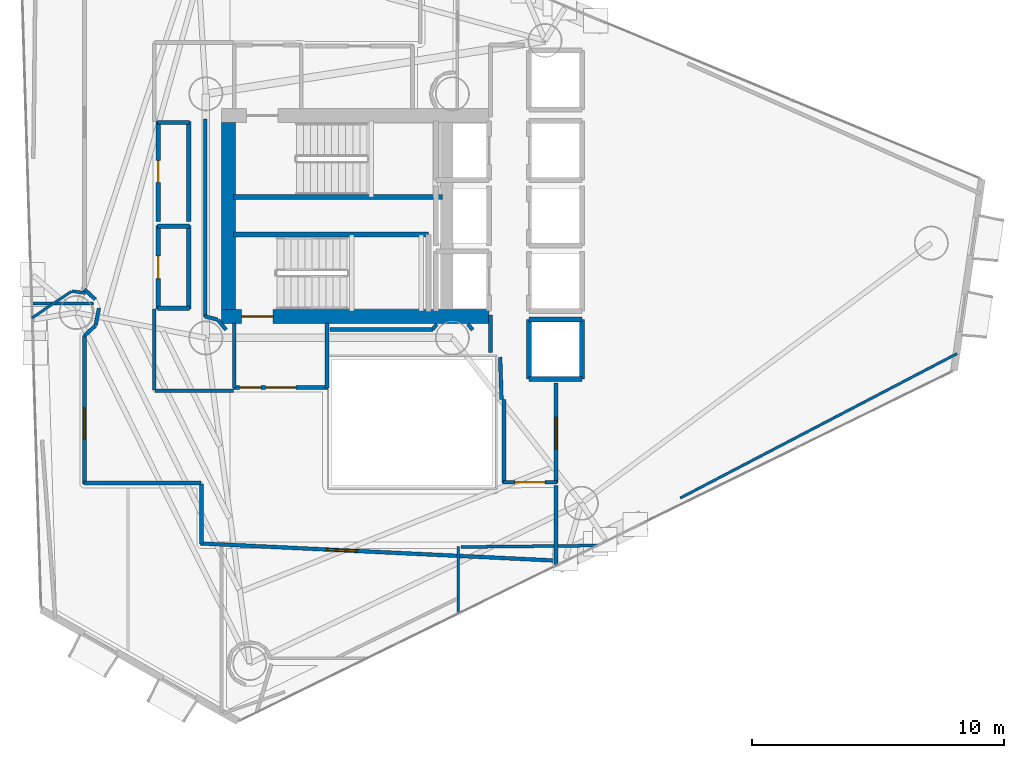
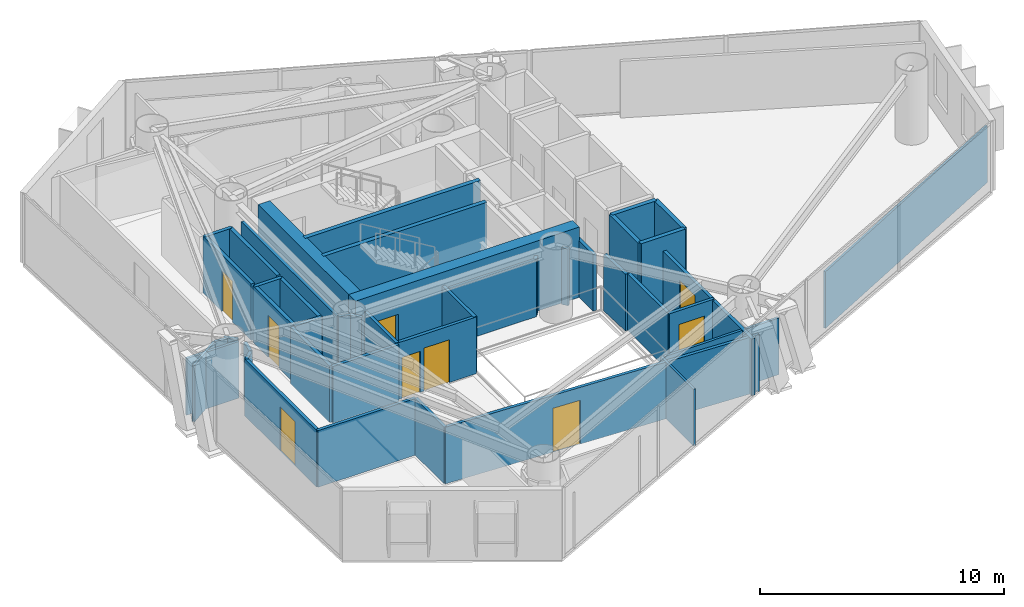
# One storey, part 18 of 22: 45 walls, 9 doors, 9 openings.
"""IFC4 building model written with IfcOpenShell, lengths in metres."""

from ifc_helpers import new_model, si_unit, direction, frame, frame_2d, origin, place, context, subcontext, project, spatial, rectangle, extrude, material, layer, layer_set, type_object, element, fill, save


model = new_model("IFC4")

# Units and contexts
model_context = context("Model", 3, precision=1e-05, world=origin(), true_north=direction((0.0, 1.0)))
body_context = subcontext(model_context, "Body", "Model", "MODEL_VIEW")
ifc_project = project(units=[si_unit("LENGTHUNIT", "METRE"), si_unit("AREAUNIT", "SQUARE_METRE"), si_unit("VOLUMEUNIT", "CUBIC_METRE"), si_unit("PLANEANGLEUNIT", "RADIAN"), si_unit("MASSUNIT", "GRAM", prefix="KILO")], contexts=[model_context])

# Site, building, storey
site_placement = place(None, origin())
site = spatial("IfcSite", under=ifc_project, at=site_placement, CompositionType="ELEMENT")
building_placement = place(site_placement, origin())
building = spatial("IfcBuilding", under=site, at=building_placement, Name="Qianvela Tower", CompositionType="ELEMENT")
storey_placement = place(building_placement, frame((0.0, 0.0, 158.699951171875)))
storey = spatial("IfcBuildingStorey", under=building, at=storey_placement, Name="L40", CompositionType="ELEMENT", Elevation=158.699951171875)

# Wall, opening, door
ifc_material_1 = material(Name="Concrete C60", Category="concrete")
ifc_layer_1 = layer(ifc_material_1, 0.550048828125)
ifc_layer_set_1 = layer_set([ifc_layer_1], Name="Concrete C60")
wall_type_1 = type_object("IfcWallType", Name="WT-CORE-550", PredefinedType="SHEAR", material=ifc_layer_set_1)
wall_1_placement = place(storey_placement, frame((29.22998046875, 24.705078125, 0.0), z_axis=(0.0, 0.0, 1.0), x_axis=(1.0, 0.0, 0.0)))
wall_1 = element("IfcWall", 1, at=wall_1_placement, inside=storey, type_object=wall_type_1, Name="L40 South Core Shear Wall", PredefinedType="SHEAR", context=body_context, shape_type="SweptSolid", body=[
    extrude(rectangle(XDim=10.6201171875, YDim=0.550048828125, at=frame_2d((5.31005859375, 0.0))), origin(), (0.0, 0.0, 1.0), 3.52001953125),
])
opening_1_placement = place(wall_1_placement, frame((0.794921875, 0.0, 0.0)))
opening_1 = element("IfcOpeningElement", 2, at=opening_1_placement, cuts=wall_1, Name="Opening D-ST1", PredefinedType="OPENING", context=body_context, shape_type="SweptSolid", body=[
    extrude(rectangle(XDim=1.25, YDim=2.14990234375, at=frame_2d((0.625, 1.074951171875))), frame((0.0, 0.284912109375, 0.0), z_axis=(0.0, -1.0, 0.0), x_axis=(1.0, 0.0, 0.0)), (0.0, 0.0, 1.0), 0.570068359375),
])
ifc_material_2 = material(Name="Galvanised Fire Steel Q355B", Category="steel")
door_type_1 = type_object("IfcDoorType", Name="DT-STAIR-FD90", OperationType="NOTDEFINED", PredefinedType="DOOR", material=ifc_material_2)
door_1_placement = place(opening_1_placement, origin())
door_1 = element("IfcDoor", 3, at=door_1_placement, inside=storey, type_object=door_type_1, Name="L40 Stair ST-2 Exit Door", OperationType="SINGLE_SWING_LEFT", OverallHeight=2.14990234375, OverallWidth=1.25, PredefinedType="DOOR", context=body_context, shape_type="SweptSolid", body=[
    extrude(rectangle(XDim=1.25, YDim=2.14990234375, at=frame_2d((0.625, 1.074951171875))), frame((0.0, 0.02490234375, 0.0), z_axis=(0.0, -1.0, 0.0), x_axis=(1.0, 0.0, 0.0)), (0.0, 0.0, 1.0), 0.050048828125),
])
fill(opening_1, door_1)

# Wall
wall_2_placement = place(storey_placement, frame((29.5048828125, 24.97998046875, 0.0), z_axis=(0.0, 0.0, 1.0), x_axis=(0.0, 1.0, 0.0)))
element("IfcWall", 4, at=wall_2_placement, inside=storey, type_object=wall_type_1, Name="L40 West Core Shear Wall", PredefinedType="SHEAR", context=body_context, shape_type="SweptSolid", body=[
    extrude(rectangle(XDim=7.43994140625, YDim=0.550048828125, at=frame_2d((3.719970703125, 0.0))), origin(), (0.0, 0.0, 1.0), 3.52001953125),
])

# Wall, openings, doors
ifc_material_3 = material(Name="Fire-Rated Acoustic Gypsum Board")
ifc_layer_2 = layer(ifc_material_3, 0.14990234375)
ifc_layer_set_2 = layer_set([ifc_layer_2], Name="Fire-Rated Acoustic Gypsum Board")
wall_type_2 = type_object("IfcWallType", Name="WT-CORR-150", PredefinedType="PARTITIONING", material=ifc_layer_set_2)
wall_3_placement = place(storey_placement, frame((33.449951171875, 21.881103515625, 0.0), z_axis=(0.0, 0.0, 1.0), x_axis=(-1.0, 0.0, 0.0)))
wall_3 = element("IfcWall", 5, at=wall_3_placement, inside=storey, type_object=wall_type_2, Name="L40 Partition 5", PredefinedType="PARTITIONING", context=body_context, shape_type="SweptSolid", body=[
    extrude(rectangle(XDim=3.75, YDim=0.14990234375, at=frame_2d((1.875, 0.0))), origin(), (0.0, 0.0, 1.0), 2.840087890625),
])
opening_2_placement = place(wall_3_placement, frame((1.27490234375, 0.0, 0.0)))
opening_2 = element("IfcOpeningElement", 6, at=opening_2_placement, cuts=wall_3, Name="Opening D-LB1", PredefinedType="OPENING", context=body_context, shape_type="SweptSolid", body=[
    extrude(rectangle(XDim=1.199951171875, YDim=2.14990234375, at=frame_2d((0.60009765625, 1.074951171875))), frame((0.0, 0.0849609375, 0.0), z_axis=(0.0, -1.0, 0.0), x_axis=(1.0, 0.0, 0.0)), (0.0, 0.0, 1.0), 0.169921875),
])
opening_3_placement = place(wall_3_placement, frame((2.659912109375, 0.0, 0.0)))
opening_3 = element("IfcOpeningElement", 7, at=opening_3_placement, cuts=wall_3, Name="Opening D-LB2", PredefinedType="OPENING", context=body_context, shape_type="SweptSolid", body=[
    extrude(rectangle(XDim=0.860107421875, YDim=2.050048828125, at=frame_2d((0.43017578125, 1.02490234375))), frame((0.0, 0.0849609375, 0.0), z_axis=(0.0, -1.0, 0.0), x_axis=(1.0, 0.0, 0.0)), (0.0, 0.0, 1.0), 0.169921875),
])
ifc_material_4 = material(Name="Glazed Fire-Rated Steel Frame", Category="steel")
door_type_2 = type_object("IfcDoorType", Name="DT-LOBBY-FD90", OperationType="NOTDEFINED", PredefinedType="DOOR", material=ifc_material_4)
door_2_placement = place(opening_2_placement, origin())
door_2 = element("IfcDoor", 8, at=door_2_placement, inside=storey, type_object=door_type_2, Name="L40 Door L40 Firefighting Lobby South to L40 Floor Corridor", OperationType="SINGLE_SWING_RIGHT", OverallHeight=2.14990234375, OverallWidth=1.199951171875, PredefinedType="DOOR", context=body_context, shape_type="SweptSolid", body=[
    extrude(rectangle(XDim=1.199951171875, YDim=2.14990234375, at=frame_2d((0.60009765625, 1.074951171875))), frame((0.0, 0.02490234375, 0.0), z_axis=(0.0, -1.0, 0.0), x_axis=(1.0, 0.0, 0.0)), (0.0, 0.0, 1.0), 0.050048828125),
])
fill(opening_2, door_2)
ifc_material_5 = material(Name="Insulated Steel Fire Door Q355B", Category="steel")
door_type_3 = type_object("IfcDoorType", Name="DT-LOBBY-FD90-860", OperationType="NOTDEFINED", PredefinedType="DOOR", material=ifc_material_5)
door_3_placement = place(opening_3_placement, origin())
door_3 = element("IfcDoor", 9, at=door_3_placement, inside=storey, type_object=door_type_3, Name="L40 Door L40 Firefighting Lobby South to L40 Floor Corridor", OperationType="SINGLE_SWING_RIGHT", OverallHeight=2.050048828125, OverallWidth=0.860107421875, PredefinedType="DOOR", context=body_context, shape_type="SweptSolid", body=[
    extrude(rectangle(XDim=0.860107421875, YDim=2.050048828125, at=frame_2d((0.43017578125, 1.02490234375))), frame((0.0, 0.02490234375, 0.0), z_axis=(0.0, -1.0, 0.0), x_axis=(1.0, 0.0, 0.0)), (0.0, 0.0, 1.0), 0.050048828125),
])
fill(opening_3, door_3)

# Walls
for number, where, z_axis, x_axis, name in (
    (10, (29.73095703125, 21.85009765625, 0.0), (0.0, 0.0, 1.0), (0.0, 1.0, 0.0), "L40 Partition 6"),
    (11, (33.4189453125, 24.44189453125, 0.0), (0.0, 0.0, 1.0), (0.0, -1.0, 0.0), "L40 Partition 8"),
):
    element("IfcWall", number, at=place(storey_placement, frame(where, z_axis=z_axis, x_axis=x_axis)), inside=storey, type_object=wall_type_2, Name=name, PredefinedType="PARTITIONING", context=body_context, shape_type="SweptSolid", body=[
        extrude(rectangle(XDim=2.591796875, YDim=0.14990234375, at=frame_2d((1.2958984375, 0.0))), origin(), (0.0, 0.0, 1.0), 2.840087890625),
    ])
wall_4_placement = place(storey_placement, frame((40.35107421875, 21.40087890625, 0.0), z_axis=(0.0, 0.0, 1.0), x_axis=(-0.031058045979, 0.999517582527, 0.0)))
element("IfcWall", 12, at=wall_4_placement, inside=storey, type_object=wall_type_2, Name="L40 Partition 9", PredefinedType="PARTITIONING", context=body_context, shape_type="SweptSolid", body=[
    extrude(rectangle(XDim=1.68212890625, YDim=0.14990234375, at=frame_2d((0.841064453125, 0.0))), origin(), (0.0, 0.0, 1.0), 2.840087890625),
])
wall_5_placement = place(storey_placement, frame((39.910888671875, 23.280029296875, 0.0), z_axis=(0.0, 0.0, 1.0), x_axis=(0.0, 1.0, 0.0)))
element("IfcWall", 13, at=wall_5_placement, inside=storey, type_object=wall_type_2, Name="L40 Partition 10", PredefinedType="PARTITIONING", context=body_context, shape_type="SweptSolid", body=[
    extrude(rectangle(XDim=1.47998046875, YDim=0.14990234375, at=frame_2d((0.739990234375, 0.0))), origin(), (0.0, 0.0, 1.0), 2.840087890625),
])

# Wall, opening, door
wall_6_placement = place(storey_placement, frame((42.51904296875, 22.050048828125, 0.0), z_axis=(0.0, 0.0, 1.0), x_axis=(0.0, -1.0, 0.0)))
wall_6 = element("IfcWall", 14, at=wall_6_placement, inside=storey, type_object=wall_type_2, Name="L40 Partition 17", PredefinedType="PARTITIONING", context=body_context, shape_type="SweptSolid", body=[
    extrude(rectangle(XDim=3.969970703125, YDim=0.14990234375, at=frame_2d((1.98486328125, 0.0))), origin(), (0.0, 0.0, 1.0), 2.840087890625),
])
opening_4_placement = place(wall_6_placement, frame((1.360107421875, 0.0, 0.0)))
opening_4 = element("IfcOpeningElement", 15, at=opening_4_placement, cuts=wall_6, Name="Opening D-LG1", PredefinedType="OPENING", context=body_context, shape_type="SweptSolid", body=[
    extrude(rectangle(XDim=1.25, YDim=2.199951171875, at=frame_2d((0.625, 1.10009765625))), frame((0.0, 0.0849609375, 0.0), z_axis=(0.0, -1.0, 0.0), x_axis=(1.0, 0.0, 0.0)), (0.0, 0.0, 1.0), 0.169921875),
])
ifc_material_6 = material(Name="Anodised Aluminium Acoustic Glass Door", Category="aluminium")
door_type_4 = type_object("IfcDoorType", Name="DT-LOUNGE-1250", OperationType="NOTDEFINED", PredefinedType="DOOR", material=ifc_material_6)
door_4_placement = place(opening_4_placement, origin())
door_4 = element("IfcDoor", 16, at=door_4_placement, inside=storey, type_object=door_type_4, Name="L40 Door Media Practice Cinema L40-03 to L40 Lift Lobby", OperationType="SINGLE_SWING_LEFT", OverallHeight=2.199951171875, OverallWidth=1.25, PredefinedType="DOOR", context=body_context, shape_type="SweptSolid", body=[
    extrude(rectangle(XDim=1.25, YDim=2.199951171875, at=frame_2d((0.625, 1.10009765625))), frame((0.0, 0.02490234375, 0.0), z_axis=(0.0, -1.0, 0.0), x_axis=(1.0, 0.0, 0.0)), (0.0, 0.0, 1.0), 0.050048828125),
])
fill(opening_4, door_4)

wall_7_placement = place(storey_placement, frame((42.550048828125, 18.111083984375, 0.0), z_axis=(0.0, 0.0, 1.0), x_axis=(-1.0, 0.0, 0.0)))
wall_7 = element("IfcWall", 17, at=wall_7_placement, inside=storey, type_object=wall_type_2, Name="L40 Partition 18", PredefinedType="PARTITIONING", context=body_context, shape_type="SweptSolid", body=[
    extrude(rectangle(XDim=2.130126953125, YDim=0.14990234375, at=frame_2d((1.06494140625, 0.0))), origin(), (0.0, 0.0, 1.0), 2.840087890625),
])
opening_5_placement = place(wall_7_placement, frame((0.465087890625, 0.0, 0.0)))
opening_5 = element("IfcOpeningElement", 18, at=opening_5_placement, cuts=wall_7, Name="Opening D-LB1", PredefinedType="OPENING", context=body_context, shape_type="SweptSolid", body=[
    extrude(rectangle(XDim=1.199951171875, YDim=2.14990234375, at=frame_2d((0.60009765625, 1.074951171875))), frame((0.0, 0.0849609375, 0.0), z_axis=(0.0, -1.0, 0.0), x_axis=(1.0, 0.0, 0.0)), (0.0, 0.0, 1.0), 0.169921875),
])
door_5_placement = place(opening_5_placement, origin())
door_5 = element("IfcDoor", 19, at=door_5_placement, inside=storey, type_object=door_type_2, Name="L40 Door L40 Lift Lobby to L40 Floor Corridor", OperationType="SINGLE_SWING_LEFT", OverallHeight=2.14990234375, OverallWidth=1.199951171875, PredefinedType="DOOR", context=body_context, shape_type="SweptSolid", body=[
    extrude(rectangle(XDim=1.199951171875, YDim=2.14990234375, at=frame_2d((0.60009765625, 1.074951171875))), frame((0.0, 0.02490234375, 0.0), z_axis=(0.0, -1.0, 0.0), x_axis=(1.0, 0.0, 0.0)), (0.0, 0.0, 1.0), 0.050048828125),
])
fill(opening_5, door_5)

# Walls
wall_8_placement = place(storey_placement, frame((40.450927734375, 18.080078125, 0.0), z_axis=(0.0, 0.0, 1.0), x_axis=(0.0, 1.0, 0.0)))
element("IfcWall", 20, at=wall_8_placement, inside=storey, type_object=wall_type_2, Name="L40 Partition 19 seg 1", PredefinedType="PARTITIONING", context=body_context, shape_type="SweptSolid", body=[
    extrude(rectangle(XDim=3.31982421875, YDim=0.14990234375, at=frame_2d((1.659912109375, 0.0))), origin(), (0.0, 0.0, 1.0), 2.840087890625),
])
wall_9_placement = place(storey_placement, frame((29.401611328125, 24.169189453125, 0.0), z_axis=(0.0, 0.0, 1.0), x_axis=(-0.622091855036, 0.782944266151, 0.0)))
element("IfcWall", 21, at=wall_9_placement, inside=storey, type_object=wall_type_2, Name="L40 Partition 36", PredefinedType="PARTITIONING", context=body_context, shape_type="SweptSolid", body=[
    extrude(rectangle(XDim=0.50390625, YDim=0.14990234375, at=frame_2d((0.251953125, 0.0))), origin(), (0.0, 0.0, 1.0), 2.840087890625),
])
wall_10_placement = place(storey_placement, frame((29.07177734375, 24.57421875, 0.0), z_axis=(0.0, 0.0, 1.0), x_axis=(-0.966842101769, 0.255374920942, 0.0)))
element("IfcWall", 22, at=wall_10_placement, inside=storey, type_object=wall_type_2, Name="L40 Partition 37", PredefinedType="PARTITIONING", context=body_context, shape_type="SweptSolid", body=[
    extrude(rectangle(XDim=0.531494140625, YDim=0.14990234375, at=frame_2d((0.265625, 0.0))), origin(), (0.0, 0.0, 1.0), 2.840087890625),
])
wall_11_placement = place(storey_placement, frame((28.5810546875, 24.68017578125, 0.0), z_axis=(0.0, 0.0, 1.0), x_axis=(0.0, 1.0, 0.0)))
element("IfcWall", 23, at=wall_11_placement, inside=storey, type_object=wall_type_2, Name="L40 Partition 38", PredefinedType="PARTITIONING", context=body_context, shape_type="SweptSolid", body=[
    extrude(rectangle(XDim=7.869873046875, YDim=0.14990234375, at=frame_2d((3.93505859375, 0.0))), origin(), (0.0, 0.0, 1.0), 2.840087890625),
])
wall_12_placement = place(storey_placement, frame((39.20166015625, 24.169189453125, 0.0), z_axis=(0.0, 0.0, 1.0), x_axis=(-0.622453876994, 0.782656483405, 0.0)))
element("IfcWall", 24, at=wall_12_placement, inside=storey, type_object=wall_type_2, Name="L40 Partition 43", PredefinedType="PARTITIONING", context=body_context, shape_type="SweptSolid", body=[
    extrude(rectangle(XDim=0.29248046875, YDim=0.14990234375, at=frame_2d((0.146240234375, 0.0))), origin(), (0.0, 0.0, 1.0), 2.840087890625),
])
wall_13_placement = place(storey_placement, frame((37.780517578125, 24.398193359375, 0.0), z_axis=(0.0, 0.0, 1.0), x_axis=(-0.622697708845, -0.782462499676, 0.0)))
element("IfcWall", 25, at=wall_13_placement, inside=storey, type_object=wall_type_2, Name="L40 Partition 46", PredefinedType="PARTITIONING", context=body_context, shape_type="SweptSolid", body=[
    extrude(rectangle(XDim=0.253662109375, YDim=0.14990234375, at=frame_2d((0.126953125, 0.0))), origin(), (0.0, 0.0, 1.0), 2.840087890625),
])
wall_14_placement = place(storey_placement, frame((37.62255859375, 24.180908203125, 0.0), z_axis=(0.0, 0.0, 1.0), x_axis=(-1.0, 0.0, 0.0)))
element("IfcWall", 26, at=wall_14_placement, inside=storey, type_object=wall_type_2, Name="L40 Partition 47", PredefinedType="PARTITIONING", context=body_context, shape_type="SweptSolid", body=[
    extrude(rectangle(XDim=4.092529296875, YDim=0.14990234375, at=frame_2d((2.04638671875, 0.0))), origin(), (0.0, 0.0, 1.0), 2.840087890625),
])
wall_15_placement = place(storey_placement, frame((24.211181640625, 25.37890625, 0.0), z_axis=(0.0, 0.0, 1.0), x_axis=(-0.735475561179, 0.677551251868, 0.0)))
element("IfcWall", 27, at=wall_15_placement, inside=storey, type_object=wall_type_2, Name="L40 Partition 48", PredefinedType="PARTITIONING", context=body_context, shape_type="SweptSolid", body=[
    extrude(rectangle(XDim=0.598388671875, YDim=0.14990234375, at=frame_2d((0.29931640625, 0.0))), origin(), (0.0, 0.0, 1.0), 2.840087890625),
])
wall_16_placement = place(storey_placement, frame((26.549072265625, 25.0, 0.0), z_axis=(0.0, 0.0, 1.0), x_axis=(0.0, -1.0, 0.0)))
element("IfcWall", 28, at=wall_16_placement, inside=storey, type_object=wall_type_2, Name="L40 Partition 53 seg 3", PredefinedType="PARTITIONING", context=body_context, shape_type="SweptSolid", body=[
    extrude(rectangle(XDim=3.219970703125, YDim=0.14990234375, at=frame_2d((1.60986328125, 0.0))), origin(), (0.0, 0.0, 1.0), 2.840087890625),
])
wall_17_placement = place(storey_placement, frame((26.580078125, 21.7490234375, 0.0), z_axis=(0.0, 0.0, 1.0), x_axis=(1.0, 0.0, 0.0)))
element("IfcWall", 29, at=wall_17_placement, inside=storey, type_object=wall_type_2, Name="L40 Partition 54 seg 1", PredefinedType="PARTITIONING", context=body_context, shape_type="SweptSolid", body=[
    extrude(rectangle(XDim=3.119873046875, YDim=0.14990234375, at=frame_2d((1.56005859375, 0.0))), origin(), (0.0, 0.0, 1.0), 2.840087890625),
])
wall_18_placement = place(storey_placement, frame((42.51904296875, 17.97998046875, 0.0), z_axis=(0.0, 0.0, 1.0), x_axis=(0.0, -1.0, 0.0)))
element("IfcWall", 30, at=wall_18_placement, inside=storey, type_object=wall_type_2, Name="L40 Partition 56 seg 1", PredefinedType="PARTITIONING", context=body_context, shape_type="SweptSolid", body=[
    extrude(rectangle(XDim=3.201171875, YDim=0.14990234375, at=frame_2d((1.6005859375, 0.0))), origin(), (0.0, 0.0, 1.0), 2.840087890625),
])

# Wall, opening, door
wall_19_placement = place(storey_placement, frame((42.892578125, 14.98193359375, 0.0), z_axis=(0.0, 0.0, 1.0), x_axis=(-0.9988389824, 0.048173511786, 0.0)))
wall_19 = element("IfcWall", 31, at=wall_19_placement, inside=storey, type_object=wall_type_2, Name="L40 Partition 57", PredefinedType="PARTITIONING", context=body_context, shape_type="SweptSolid", body=[
    extrude(rectangle(XDim=14.509521484375, YDim=0.14990234375, at=frame_2d((7.2548828125, 0.0))), origin(), (0.0, 0.0, 1.0), 2.840087890625),
])
opening_6_placement = place(wall_19_placement, frame((8.274169921875, 0.0, 0.0)))
opening_6 = element("IfcOpeningElement", 32, at=opening_6_placement, cuts=wall_19, Name="Opening D-LG1", PredefinedType="OPENING", context=body_context, shape_type="SweptSolid", body=[
    extrude(rectangle(XDim=1.25, YDim=2.199951171875, at=frame_2d((0.625, 1.10009765625))), frame((0.0, 0.0849609375, 0.0), z_axis=(0.0, -1.0, 0.0), x_axis=(1.0, 0.0, 0.0)), (0.0, 0.0, 1.0), 0.169921875),
])
door_6_placement = place(opening_6_placement, origin())
door_6 = element("IfcDoor", 33, at=door_6_placement, inside=storey, type_object=door_type_4, Name="L40 Door Student Reading Library L40-02 to L40 Floor Corridor", OperationType="SINGLE_SWING_RIGHT", OverallHeight=2.199951171875, OverallWidth=1.25, PredefinedType="DOOR", context=body_context, shape_type="SweptSolid", body=[
    extrude(rectangle(XDim=1.25, YDim=2.199951171875, at=frame_2d((0.625, 1.10009765625))), frame((0.0, 0.02490234375, 0.0), z_axis=(0.0, -1.0, 0.0), x_axis=(1.0, 0.0, 0.0)), (0.0, 0.0, 1.0), 0.050048828125),
])
fill(opening_6, door_6)

# Walls
wall_20_placement = place(storey_placement, frame((28.430908203125, 15.64990234375, 0.0), z_axis=(0.0, 0.0, 1.0), x_axis=(0.0, 1.0, 0.0)))
element("IfcWall", 34, at=wall_20_placement, inside=storey, type_object=wall_type_2, Name="L40 Partition 58", PredefinedType="PARTITIONING", context=body_context, shape_type="SweptSolid", body=[
    extrude(rectangle(XDim=2.400146484375, YDim=0.14990234375, at=frame_2d((1.2001953125, 0.0))), origin(), (0.0, 0.0, 1.0), 2.840087890625),
])
wall_21_placement = place(storey_placement, frame((28.39990234375, 18.0810546875, 0.0), z_axis=(0.0, 0.0, 1.0), x_axis=(-1.0, 0.0, 0.0)))
element("IfcWall", 35, at=wall_21_placement, inside=storey, type_object=wall_type_2, Name="L40 Partition 59", PredefinedType="PARTITIONING", context=body_context, shape_type="SweptSolid", body=[
    extrude(rectangle(XDim=4.64990234375, YDim=0.14990234375, at=frame_2d((2.324951171875, 0.0))), origin(), (0.0, 0.0, 1.0), 2.840087890625),
])

# Wall, opening, door
wall_22_placement = place(storey_placement, frame((23.781005859375, 18.050048828125, 0.0), z_axis=(0.0, 0.0, 1.0), x_axis=(0.0, 1.0, 0.0)))
wall_22 = element("IfcWall", 36, at=wall_22_placement, inside=storey, type_object=wall_type_2, Name="L40 Partition 60", PredefinedType="PARTITIONING", context=body_context, shape_type="SweptSolid", body=[
    extrude(rectangle(XDim=5.90625, YDim=0.14990234375, at=frame_2d((2.953125, 0.0))), origin(), (0.0, 0.0, 1.0), 2.840087890625),
])
opening_7_placement = place(wall_22_placement, frame((1.76806640625, 0.0, 0.0)))
opening_7 = element("IfcOpeningElement", 37, at=opening_7_placement, cuts=wall_22, Name="Opening D-LG1", PredefinedType="OPENING", context=body_context, shape_type="SweptSolid", body=[
    extrude(rectangle(XDim=1.25, YDim=2.199951171875, at=frame_2d((0.625, 1.10009765625))), frame((0.0, 0.0849609375, 0.0), z_axis=(0.0, -1.0, 0.0), x_axis=(1.0, 0.0, 0.0)), (0.0, 0.0, 1.0), 0.169921875),
])
door_7_placement = place(opening_7_placement, origin())
door_7 = element("IfcDoor", 38, at=door_7_placement, inside=storey, type_object=door_type_4, Name="L40 Door Maker Craft Workshop L40-01 to L40 Floor Corridor", OperationType="SINGLE_SWING_LEFT", OverallHeight=2.199951171875, OverallWidth=1.25, PredefinedType="DOOR", context=body_context, shape_type="SweptSolid", body=[
    extrude(rectangle(XDim=1.25, YDim=2.199951171875, at=frame_2d((0.625, 1.10009765625))), frame((0.0, 0.02490234375, 0.0), z_axis=(0.0, -1.0, 0.0), x_axis=(1.0, 0.0, 0.0)), (0.0, 0.0, 1.0), 0.050048828125),
])
fill(opening_7, door_7)

# Walls
wall_23_placement = place(storey_placement, frame((23.77099609375, 23.93359375, 0.0), z_axis=(0.0, 0.0, 1.0), x_axis=(0.735475561179, 0.677551251868, 0.0)))
element("IfcWall", 39, at=wall_23_placement, inside=storey, type_object=wall_type_2, Name="L40 Partition 61", PredefinedType="PARTITIONING", context=body_context, shape_type="SweptSolid", body=[
    extrude(rectangle(XDim=0.598388671875, YDim=0.14990234375, at=frame_2d((0.29931640625, 0.0))), origin(), (0.0, 0.0, 1.0), 2.840087890625),
])
wall_24_placement = place(storey_placement, frame((24.220703125, 24.355712890625, 0.0), z_axis=(0.0, 0.0, 1.0), x_axis=(0.19495084259, 0.980813014276, 0.0)))
element("IfcWall", 40, at=wall_24_placement, inside=storey, type_object=wall_type_2, Name="L40 Partition 62", PredefinedType="PARTITIONING", context=body_context, shape_type="SweptSolid", body=[
    extrude(rectangle(XDim=0.68505859375, YDim=0.14990234375, at=frame_2d((0.342529296875, 0.0))), origin(), (0.0, 0.0, 1.0), 2.840087890625),
])
ifc_material_7 = material(Name="Lightweight Gypsum Room Partition")
ifc_layer_3 = layer(ifc_material_7, 0.10498046875)
ifc_layer_set_3 = layer_set([ifc_layer_3], Name="Lightweight Gypsum Room Partition")
wall_type_3 = type_object("IfcWallType", Name="WT-PART-105", PredefinedType="PARTITIONING", material=ifc_layer_set_3)
wall_25_placement = place(storey_placement, frame((38.626953125, 15.570068359375, 0.0), z_axis=(0.0, 0.0, 1.0), x_axis=(0.0, -1.0, 0.0)))
element("IfcWall", 41, at=wall_25_placement, inside=storey, type_object=wall_type_3, Name="L40 Partition 88", PredefinedType="PARTITIONING", context=body_context, shape_type="SweptSolid", body=[
    extrude(rectangle(XDim=2.698974609375, YDim=0.10498046875, at=frame_2d((1.349609375, 0.0))), origin(), (0.0, 0.0, 1.0), 2.840087890625),
])
wall_26_placement = place(storey_placement, frame((58.45458984375, 23.223876953125, 0.0), z_axis=(0.0, 0.0, 1.0), x_axis=(-0.886607305215, -0.462522957634, 0.0)))
element("IfcWall", 42, at=wall_26_placement, inside=storey, type_object=wall_type_3, Name="L40 Partition 97 seg 1", PredefinedType="PARTITIONING", context=body_context, shape_type="SweptSolid", body=[
    extrude(rectangle(XDim=12.404296875, YDim=0.10498046875, at=frame_2d((6.2021484375, 0.0))), origin(), (0.0, 0.0, 1.0), 2.840087890625),
])
wall_27_placement = place(storey_placement, frame((23.265869140625, 25.70361328125, 0.0), z_axis=(0.0, 0.0, 1.0), x_axis=(-0.830193182511, -0.557475810876, 0.0)))
element("IfcWall", 43, at=wall_27_placement, inside=storey, type_object=wall_type_3, Name="L40 Partition 121", PredefinedType="PARTITIONING", context=body_context, shape_type="SweptSolid", body=[
    extrude(rectangle(XDim=1.906005859375, YDim=0.10498046875, at=frame_2d((0.953125, 0.0))), origin(), (0.0, 0.0, 1.0), 2.840087890625),
])
ifc_material_8 = material(Name="Insulated Gypsum Stud Partition")
ifc_layer_4 = layer(ifc_material_8, 0.1201171875)
ifc_layer_set_4 = layer_set([ifc_layer_4], Name="Insulated Gypsum Stud Partition")
wall_type_4 = type_object("IfcWallType", Name="WT-PART-120", PredefinedType="PARTITIONING", material=ifc_layer_set_4)
wall_28_placement = place(storey_placement, frame((21.66259765625, 25.22705078125, 0.0), z_axis=(0.0, 0.0, 1.0), x_axis=(1.0, 0.0, 0.0)))
element("IfcWall", 44, at=wall_28_placement, inside=storey, type_object=wall_type_4, Name="L40 Partition 63", PredefinedType="PARTITIONING", context=body_context, shape_type="SweptSolid", body=[
    extrude(rectangle(XDim=2.481689453125, YDim=0.1201171875, at=frame_2d((1.24072265625, 0.0))), origin(), (0.0, 0.0, 1.0), 2.840087890625),
])
wall_29_placement = place(storey_placement, frame((38.7421875, 15.5390625, 0.0), z_axis=(0.0, 0.0, 1.0), x_axis=(0.999940745371, 0.010886034477, 0.0)))
element("IfcWall", 45, at=wall_29_placement, inside=storey, type_object=wall_type_4, Name="L40 Partition 99", PredefinedType="PARTITIONING", context=body_context, shape_type="SweptSolid", body=[
    extrude(rectangle(XDim=5.42724609375, YDim=0.1201171875, at=frame_2d((2.713623046875, 0.0))), origin(), (0.0, 0.0, 1.0), 2.840087890625),
])
wall_30_placement = place(storey_placement, frame((23.823486328125, 25.63232421875, 0.0), z_axis=(0.0, 0.0, 1.0), x_axis=(-0.99004848034, 0.140726708823, 0.0)))
element("IfcWall", 46, at=wall_30_placement, inside=storey, type_object=wall_type_4, Name="L40 Partition 120", PredefinedType="PARTITIONING", context=body_context, shape_type="SweptSolid", body=[
    extrude(rectangle(XDim=0.541259765625, YDim=0.1201171875, at=frame_2d((0.2705078125, 0.0))), origin(), (0.0, 0.0, 1.0), 2.840087890625),
])

# Wall, opening, door
ifc_material_9 = material(Name="Sanitary Service Chase Partition")
ifc_layer_5 = layer(ifc_material_9, 0.1650390625)
ifc_layer_set_5 = layer_set([ifc_layer_5], Name="Sanitary Service Chase Partition")
wall_type_5 = type_object("IfcWallType", Name="WT-PLUMB-165", PredefinedType="PLUMBINGWALL", material=ifc_layer_set_5)
wall_31_placement = place(storey_placement, frame((26.7109375, 25.0, 0.0), z_axis=(0.0, 0.0, 1.0), x_axis=(0.0, 1.0, 0.0)))
wall_31 = element("IfcWall", 47, at=wall_31_placement, inside=storey, type_object=wall_type_5, Name="L40 Partition 24", PredefinedType="PLUMBINGWALL", context=body_context, shape_type="SweptSolid", body=[
    extrude(rectangle(XDim=3.320068359375, YDim=0.1650390625, at=frame_2d((1.66015625, 0.0))), origin(), (0.0, 0.0, 1.0), 2.840087890625),
])
opening_8_placement = place(wall_31_placement, frame((1.2099609375, 0.0, 0.0)))
opening_8 = element("IfcOpeningElement", 48, at=opening_8_placement, cuts=wall_31, Name="Opening D-KT1", PredefinedType="OPENING", context=body_context, shape_type="SweptSolid", body=[
    extrude(rectangle(XDim=0.89990234375, YDim=2.10009765625, at=frame_2d((0.449951171875, 1.050048828125))), frame((0.0, 0.092529296875, 0.0), z_axis=(0.0, -1.0, 0.0), x_axis=(1.0, 0.0, 0.0)), (0.0, 0.0, 1.0), 0.18505859375),
])
ifc_material_10 = material(Name="Glazed Timber Kitchen Door", Category="wood")
door_type_5 = type_object("IfcDoorType", Name="DT-KITCH-900", OperationType="NOTDEFINED", PredefinedType="DOOR", material=ifc_material_10)
door_8_placement = place(opening_8_placement, origin())
door_8 = element("IfcDoor", 49, at=door_8_placement, inside=storey, type_object=door_type_5, Name="L40 Door L40 Core Tea Pantry West to L40 Floor Corridor", OperationType="SINGLE_SWING_LEFT", OverallHeight=2.10009765625, OverallWidth=0.89990234375, PredefinedType="DOOR", context=body_context, shape_type="SweptSolid", body=[
    extrude(rectangle(XDim=0.89990234375, YDim=2.10009765625, at=frame_2d((0.449951171875, 1.050048828125))), frame((0.0, 0.02490234375, 0.0), z_axis=(0.0, -1.0, 0.0), x_axis=(1.0, 0.0, 0.0)), (0.0, 0.0, 1.0), 0.050048828125),
])
fill(opening_8, door_8)

# Walls
wall_32_placement = place(storey_placement, frame((26.679931640625, 28.2890625, 0.0), z_axis=(0.0, 0.0, 1.0), x_axis=(1.0, 0.0, 0.0)))
element("IfcWall", 50, at=wall_32_placement, inside=storey, type_object=wall_type_5, Name="L40 Partition 25", PredefinedType="PLUMBINGWALL", context=body_context, shape_type="SweptSolid", body=[
    extrude(rectangle(XDim=1.27001953125, YDim=0.1650390625, at=frame_2d((0.635009765625, 0.0))), origin(), (0.0, 0.0, 1.0), 2.840087890625),
])
wall_33_placement = place(storey_placement, frame((27.9189453125, 28.320068359375, 0.0), z_axis=(0.0, 0.0, 1.0), x_axis=(0.0, -1.0, 0.0)))
element("IfcWall", 51, at=wall_33_placement, inside=storey, type_object=wall_type_5, Name="L40 Partition 26", PredefinedType="PLUMBINGWALL", context=body_context, shape_type="SweptSolid", body=[
    extrude(rectangle(XDim=3.320068359375, YDim=0.1650390625, at=frame_2d((1.66015625, 0.0))), origin(), (0.0, 0.0, 1.0), 2.840087890625),
])
wall_34_placement = place(storey_placement, frame((27.949951171875, 25.031005859375, 0.0), z_axis=(0.0, 0.0, 1.0), x_axis=(-1.0, 0.0, 0.0)))
element("IfcWall", 52, at=wall_34_placement, inside=storey, type_object=wall_type_5, Name="L40 Partition 27", PredefinedType="PLUMBINGWALL", context=body_context, shape_type="SweptSolid", body=[
    extrude(rectangle(XDim=1.27001953125, YDim=0.1650390625, at=frame_2d((0.635009765625, 0.0))), origin(), (0.0, 0.0, 1.0), 2.840087890625),
])

# Wall, opening, door
wall_35_placement = place(storey_placement, frame((26.7109375, 28.47998046875, 0.0), z_axis=(0.0, 0.0, 1.0), x_axis=(0.0, 1.0, 0.0)))
wall_35 = element("IfcWall", 53, at=wall_35_placement, inside=storey, type_object=wall_type_5, Name="L40 Partition 28", PredefinedType="PLUMBINGWALL", context=body_context, shape_type="SweptSolid", body=[
    extrude(rectangle(XDim=3.969970703125, YDim=0.1650390625, at=frame_2d((1.98486328125, 0.0))), origin(), (0.0, 0.0, 1.0), 2.840087890625),
])
opening_9_placement = place(wall_35_placement, frame((1.554931640625, 0.0, 0.0)))
opening_9 = element("IfcOpeningElement", 54, at=opening_9_placement, cuts=wall_35, Name="Opening D-WC1", PredefinedType="OPENING", context=body_context, shape_type="SweptSolid", body=[
    extrude(rectangle(XDim=0.860107421875, YDim=2.050048828125, at=frame_2d((0.43017578125, 1.02490234375))), frame((0.0, 0.092529296875, 0.0), z_axis=(0.0, -1.0, 0.0), x_axis=(1.0, 0.0, 0.0)), (0.0, 0.0, 1.0), 0.18505859375),
])
ifc_material_11 = material(Name="Moisture-Sealed Acoustic Timber Door", Category="wood")
door_type_6 = type_object("IfcDoorType", Name="DT-WC-860", OperationType="NOTDEFINED", PredefinedType="DOOR", material=ifc_material_11)
door_9_placement = place(opening_9_placement, origin())
door_9 = element("IfcDoor", 55, at=door_9_placement, inside=storey, type_object=door_type_6, Name="L40 Door L40 Accessible WC to L40 Floor Corridor", OperationType="SINGLE_SWING_RIGHT", OverallHeight=2.050048828125, OverallWidth=0.860107421875, PredefinedType="DOOR", context=body_context, shape_type="SweptSolid", body=[
    extrude(rectangle(XDim=0.860107421875, YDim=2.050048828125, at=frame_2d((0.43017578125, 1.02490234375))), frame((0.0, 0.02490234375, 0.0), z_axis=(0.0, -1.0, 0.0), x_axis=(1.0, 0.0, 0.0)), (0.0, 0.0, 1.0), 0.050048828125),
])
fill(opening_9, door_9)

# Walls
wall_36_placement = place(storey_placement, frame((26.679931640625, 32.4189453125, 0.0), z_axis=(0.0, 0.0, 1.0), x_axis=(1.0, 0.0, 0.0)))
element("IfcWall", 56, at=wall_36_placement, inside=storey, type_object=wall_type_5, Name="L40 Partition 29", PredefinedType="PLUMBINGWALL", context=body_context, shape_type="SweptSolid", body=[
    extrude(rectangle(XDim=1.27001953125, YDim=0.1650390625, at=frame_2d((0.635009765625, 0.0))), origin(), (0.0, 0.0, 1.0), 2.840087890625),
])
wall_37_placement = place(storey_placement, frame((27.9189453125, 32.449951171875, 0.0), z_axis=(0.0, 0.0, 1.0), x_axis=(0.0, -1.0, 0.0)))
element("IfcWall", 57, at=wall_37_placement, inside=storey, type_object=wall_type_5, Name="L40 Partition 30", PredefinedType="PLUMBINGWALL", context=body_context, shape_type="SweptSolid", body=[
    extrude(rectangle(XDim=3.969970703125, YDim=0.1650390625, at=frame_2d((1.98486328125, 0.0))), origin(), (0.0, 0.0, 1.0), 2.840087890625),
])
ifc_material_12 = material(Name="Concrete C50", Category="concrete")
ifc_layer_6 = layer(ifc_material_12, 0.199951171875)
ifc_layer_set_6 = layer_set([ifc_layer_6], Name="Concrete C50")
wall_type_6 = type_object("IfcWallType", Name="WT-SHAFT-200", PredefinedType="SOLIDWALL", material=ifc_layer_set_6)
wall_38_placement = place(storey_placement, frame((29.699951171875, 29.449951171875, 0.0), z_axis=(0.0, 0.0, 1.0), x_axis=(1.0, 0.0, 0.0)))
element("IfcWall", 58, at=wall_38_placement, inside=storey, type_object=wall_type_6, Name="L40 Stair ST-1 South Wall", PredefinedType="SOLIDWALL", context=body_context, shape_type="SweptSolid", body=[
    extrude(rectangle(XDim=8.300048828125, YDim=0.199951171875, at=frame_2d((4.14990234375, 0.0))), origin(), (0.0, 0.0, 1.0), 3.52001953125),
])
wall_39_placement = place(storey_placement, frame((29.699951171875, 27.9599609375, 0.0), z_axis=(0.0, 0.0, 1.0), x_axis=(1.0, 0.0, 0.0)))
element("IfcWall", 59, at=wall_39_placement, inside=storey, type_object=wall_type_6, Name="L40 Stair ST-2 North Wall", PredefinedType="SOLIDWALL", context=body_context, shape_type="SweptSolid", body=[
    extrude(rectangle(XDim=7.75, YDim=0.199951171875, at=frame_2d((3.875, 0.0))), origin(), (0.0, 0.0, 1.0), 3.52001953125),
])
for number, where, z_axis, x_axis, name in (
    (60, (43.550048828125, 22.219970703125, 0.0), (0.0, 0.0, 1.0), (0.0, 1.0, 0.0), "L40 Lift PL-H2 E Shaft Wall"),
    (61, (41.449951171875, 22.219970703125, 0.0), (0.0, 0.0, 1.0), (0.0, 1.0, 0.0), "L40 Lift PL-H2 W Shaft Wall"),
):
    element("IfcWall", number, at=place(storey_placement, frame(where, z_axis=z_axis, x_axis=x_axis)), inside=storey, type_object=wall_type_6, Name=name, PredefinedType="SOLIDWALL", context=body_context, shape_type="SweptSolid", body=[
        extrude(rectangle(XDim=2.360107421875, YDim=0.199951171875, at=frame_2d((1.18017578125, 0.0))), origin(), (0.0, 0.0, 1.0), 3.52001953125),
    ])
for number, where, z_axis, x_axis, name in (
    (62, (41.449951171875, 24.580078125, 0.0), (0.0, 0.0, 1.0), (1.0, 0.0, 0.0), "L40 Lift PL-H2 N Shaft Wall"),
    (63, (41.449951171875, 22.219970703125, 0.0), (0.0, 0.0, 1.0), (1.0, 0.0, 0.0), "L40 Lift PL-H2 S Shaft Wall"),
):
    element("IfcWall", number, at=place(storey_placement, frame(where, z_axis=z_axis, x_axis=x_axis)), inside=storey, type_object=wall_type_6, Name=name, PredefinedType="SOLIDWALL", context=body_context, shape_type="SweptSolid", body=[
        extrude(rectangle(XDim=2.10009765625, YDim=0.199951171875, at=frame_2d((1.050048828125, 0.0))), origin(), (0.0, 0.0, 1.0), 3.52001953125),
    ])

save(model, "model.ifc")
